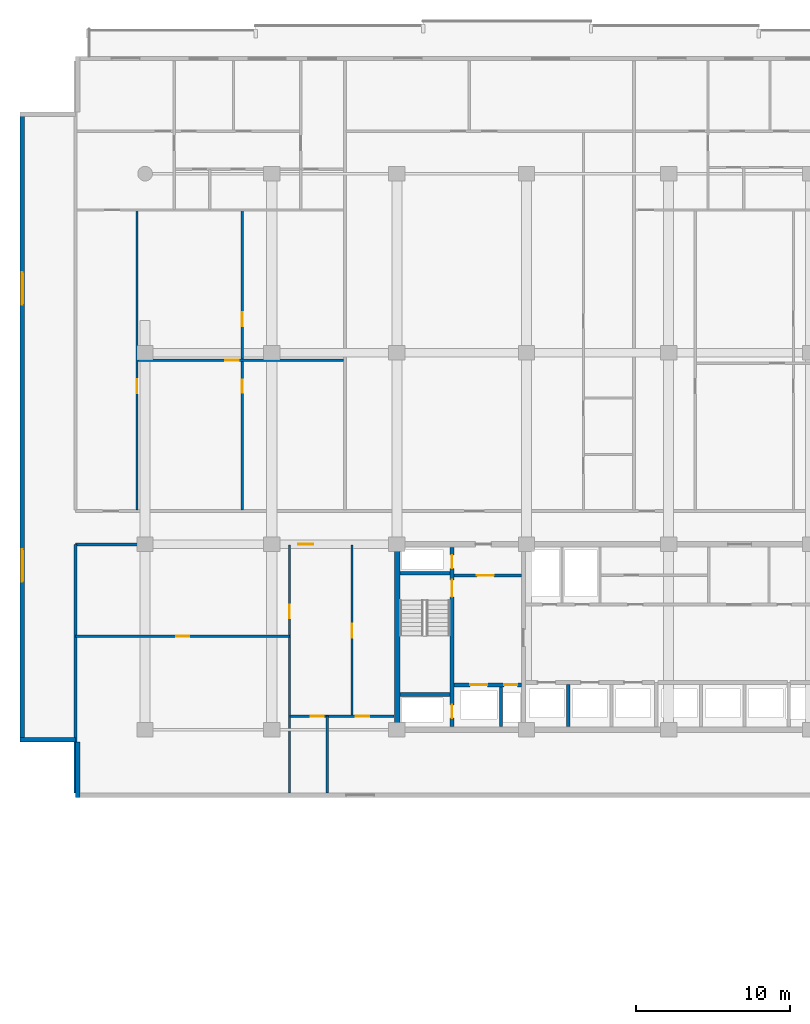
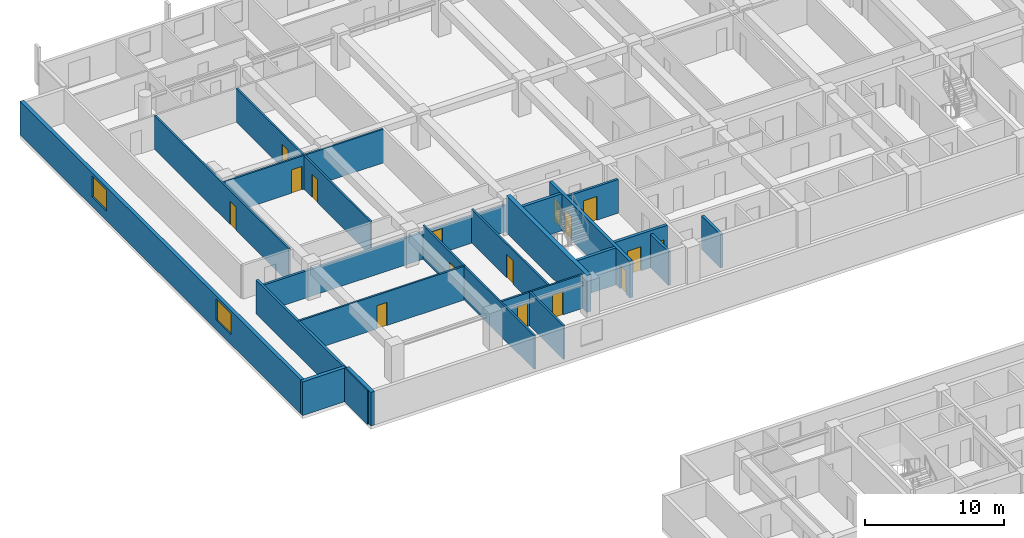
# One storey, part 10 of 23: 21 walls, 16 doors, 2 windows, 18 openings.
"""IFC4 building model written with IfcOpenShell, lengths in metres."""

from ifc_helpers import new_model, si_unit, direction, frame, frame_2d, origin, place, context, subcontext, project, spatial, rectangle, extrude, material, layer, layer_set, type_object, element, fill, save


model = new_model("IFC4")

# Units and contexts
model_context = context("Model", 3, precision=1e-05, world=origin(), true_north=direction((0.0, 1.0)))
body_context = subcontext(model_context, "Body", "Model", "MODEL_VIEW")
ifc_project = project(units=[si_unit("LENGTHUNIT", "METRE"), si_unit("AREAUNIT", "SQUARE_METRE"), si_unit("VOLUMEUNIT", "CUBIC_METRE"), si_unit("PLANEANGLEUNIT", "RADIAN"), si_unit("MASSUNIT", "GRAM", prefix="KILO")], contexts=[model_context])

# Site, building, storey
site_placement = place(None, origin())
site = spatial("IfcSite", under=ifc_project, at=site_placement, CompositionType="ELEMENT")
building_placement = place(site_placement, origin())
building = spatial("IfcBuilding", under=site, at=building_placement, Name="Korimba Cascade Residences", CompositionType="ELEMENT")
storey_placement = place(building_placement, frame((0.0, 0.0, 72.75)))
storey = spatial("IfcBuildingStorey", under=building, at=storey_placement, Name="L20", CompositionType="ELEMENT", Elevation=72.75)

# Wall, openings, windows
ifc_material_1 = material(Name="Precast concrete C40/50", Category="concrete")
ifc_layer_1 = layer(ifc_material_1, 0.300048828125)
ifc_layer_set_1 = layer_set([ifc_layer_1], Name="Precast concrete C40/50")
wall_type_1 = type_object("IfcWallType", Name="EW-STONE-300", PredefinedType="STANDARD", material=ifc_layer_set_1)
wall_1_placement = place(storey_placement, frame((51.85009765625, 95.199951171875, 0.0), z_axis=(0.0, 0.0, 1.0), x_axis=(0.0, -1.0, 0.0)))
wall_1 = element("IfcWall", 1, at=wall_1_placement, inside=storey, type_object=wall_type_1, Name="L20 T1 Perimeter Stone Wall E09", PredefinedType="STANDARD", context=body_context, shape_type="SweptSolid", body=[
    extrude(rectangle(XDim=40.800048828125, YDim=0.300048828125, at=frame_2d((20.39990234375, 0.0))), origin(), (0.0, 0.0, 1.0), 2.969970703125),
])
opening_1_placement = place(wall_1_placement, frame((10.3740234375, 0.0, 0.85009765625)))
opening_1 = element("IfcOpeningElement", 2, at=opening_1_placement, cuts=wall_1, Name="Opening W-03", PredefinedType="OPENING", context=body_context, shape_type="SweptSolid", body=[
    extrude(rectangle(XDim=2.10009765625, YDim=1.85009765625, at=frame_2d((1.050048828125, 0.925048828125))), frame((0.0, 0.16015625, 0.0), z_axis=(0.0, -1.0, 0.0), x_axis=(1.0, 0.0, 0.0)), (0.0, 0.0, 1.0), 0.320068359375),
])
opening_2_placement = place(wall_1_placement, frame((28.325927734375, 0.0, 0.85009765625)))
opening_2 = element("IfcOpeningElement", 3, at=opening_2_placement, cuts=wall_1, Name="Opening W-03", PredefinedType="OPENING", context=body_context, shape_type="SweptSolid", body=[
    extrude(rectangle(XDim=2.10009765625, YDim=1.85009765625, at=frame_2d((1.050048828125, 0.925048828125))), frame((0.0, 0.16015625, 0.0), z_axis=(0.0, -1.0, 0.0), x_axis=(1.0, 0.0, 0.0)), (0.0, 0.0, 1.0), 0.320068359375),
])
ifc_material_2 = material(Name="Double-Glazed Aluminium Window", Category="aluminium")
window_type = type_object("IfcWindowType", Name="WIN-CRN-2100", PartitioningType="DOUBLE_PANEL_HORIZONTAL", PredefinedType="WINDOW", material=ifc_material_2)
window_1_placement = place(opening_1_placement, origin())
window_1 = element("IfcWindow", 4, at=window_1_placement, inside=storey, type_object=window_type, Name="L20 T1 End View Window 9.1", OverallHeight=1.85009765625, OverallWidth=2.10009765625, PartitioningType="DOUBLE_PANEL_HORIZONTAL", PredefinedType="WINDOW", context=body_context, shape_type="SweptSolid", body=[
    extrude(rectangle(XDim=2.10009765625, YDim=1.85009765625, at=frame_2d((1.050048828125, 0.925048828125))), frame((0.0, 0.030029296875, 0.0), z_axis=(0.0, -1.0, 0.0), x_axis=(1.0, 0.0, 0.0)), (0.0, 0.0, 1.0), 0.06005859375),
])
fill(opening_1, window_1)
window_2_placement = place(opening_2_placement, origin())
window_2 = element("IfcWindow", 5, at=window_2_placement, inside=storey, type_object=window_type, Name="L20 T1 End View Window 9.2", OverallHeight=1.85009765625, OverallWidth=2.10009765625, PartitioningType="DOUBLE_PANEL_HORIZONTAL", PredefinedType="WINDOW", context=body_context, shape_type="SweptSolid", body=[
    extrude(rectangle(XDim=2.10009765625, YDim=1.85009765625, at=frame_2d((1.050048828125, 0.925048828125))), frame((0.0, 0.030029296875, 0.0), z_axis=(0.0, -1.0, 0.0), x_axis=(1.0, 0.0, 0.0)), (0.0, 0.0, 1.0), 0.06005859375),
])
fill(opening_2, window_2)

# Walls
wall_2_placement = place(storey_placement, frame((51.699951171875, 54.550048828125, 0.0), z_axis=(0.0, 0.0, 1.0), x_axis=(1.0, 0.0, 0.0)))
element("IfcWall", 6, at=wall_2_placement, inside=storey, type_object=wall_type_1, Name="L20 T1 Perimeter Stone Wall E10", PredefinedType="STANDARD", context=body_context, shape_type="SweptSolid", body=[
    extrude(rectangle(XDim=3.60009765625, YDim=0.300048828125, at=frame_2d((1.800048828125, 0.0))), origin(), (0.0, 0.0, 1.0), 2.969970703125),
])
wall_3_placement = place(storey_placement, frame((55.449951171875, 54.39990234375, 0.0), z_axis=(0.0, 0.0, 1.0), x_axis=(0.0, -1.0, 0.0)))
element("IfcWall", 7, at=wall_3_placement, inside=storey, type_object=wall_type_1, Name="L20 T1 Perimeter Stone Wall E11", PredefinedType="STANDARD", context=body_context, shape_type="SweptSolid", body=[
    extrude(rectangle(XDim=3.599853515625, YDim=0.300048828125, at=frame_2d((1.7998046875, 0.0))), origin(), (0.0, 0.0, 1.0), 2.969970703125),
])
ifc_material_3 = material(Name="Concrete C65/80", Category="concrete")
ifc_layer_2 = layer(ifc_material_3, 0.35009765625)
ifc_layer_set_2 = layer_set([ifc_layer_2], Name="Concrete C65/80")
wall_type_2 = type_object("IfcWallType", Name="WAL-CORE-350", PredefinedType="SHEAR", material=ifc_layer_set_2)
wall_4_placement = place(storey_placement, frame((76.125, 55.375, 0.0), z_axis=(0.0, 0.0, 1.0), x_axis=(0.0, 1.0, 0.0)))
element("IfcWall", 8, at=wall_4_placement, inside=storey, type_object=wall_type_2, Name="L20 Core Shear Wall CW-L20-T1-W", PredefinedType="SHEAR", context=body_context, shape_type="SweptSolid", body=[
    extrude(rectangle(XDim=11.64990234375, YDim=0.35009765625, at=frame_2d((5.824951171875, 0.0))), origin(), (0.0, 0.0, 1.0), 3.25),
])
ifc_layer_3 = layer(ifc_material_1, 0.199951171875)
ifc_layer_set_3 = layer_set([ifc_layer_3], Name="Precast concrete C40/50")
wall_type_3 = type_object("IfcWallType", Name="WAL-IT-200", PredefinedType="PARTITIONING", material=ifc_layer_set_3)
wall_5_placement = place(storey_placement, frame((55.300048828125, 51.10009765625, 0.0), z_axis=(0.0, 0.0, 1.0), x_axis=(0.0, 1.0, 0.0)))
element("IfcWall", 9, at=wall_5_placement, inside=storey, type_object=wall_type_3, Name="L20 Partition Wall WAL-L20-T1-FW-WL", PredefinedType="PARTITIONING", context=body_context, shape_type="SweptSolid", body=[
    extrude(rectangle(XDim=16.099853515625, YDim=0.199951171875, at=frame_2d((8.0498046875, 0.0))), origin(), (0.0, 0.0, 1.0), 2.969970703125),
])

# Wall, opening, door
wall_6_placement = place(storey_placement, frame((55.300048828125, 67.199951171875, 0.0), z_axis=(0.0, 0.0, 1.0), x_axis=(1.0, 0.0, 0.0)))
wall_6 = element("IfcWall", 10, at=wall_6_placement, inside=storey, type_object=wall_type_3, Name="L20 Partition Wall WAL-L20-T1-FW-N", PredefinedType="PARTITIONING", context=body_context, shape_type="SweptSolid", body=[
    extrude(rectangle(XDim=20.64990234375, YDim=0.199951171875, at=frame_2d((10.324951171875, 0.0))), origin(), (0.0, 0.0, 1.0), 2.3701171875),
])
opening_3_placement = place(wall_6_placement, frame((14.426025390625, 0.0, 0.0)))
opening_3 = element("IfcOpeningElement", 11, at=opening_3_placement, cuts=wall_6, Name="Opening D-UN1", PredefinedType="OPENING", context=body_context, shape_type="SweptSolid", body=[
    extrude(rectangle(XDim=0.949951171875, YDim=2.14990234375, at=frame_2d((0.47509765625, 1.074951171875))), frame((0.0, 0.10986328125, 0.0), z_axis=(0.0, -1.0, 0.0), x_axis=(1.0, 0.0, 0.0)), (0.0, 0.0, 1.0), 0.219970703125),
])
ifc_material_4 = material(Name="Fire-Rated Hardwood Apartment Entrance Door", Category="wood")
door_type_1 = type_object("IfcDoorType", Name="DR-FD60-950", OperationType="NOTDEFINED", PredefinedType="DOOR", material=ifc_material_4)
door_1_placement = place(opening_3_placement, origin())
door_1 = element("IfcDoor", 12, at=door_1_placement, inside=storey, type_object=door_type_1, Name="L20-T1-FW Entrance Door", OperationType="SINGLE_SWING_RIGHT", OverallHeight=2.14990234375, OverallWidth=0.949951171875, PredefinedType="DOOR", context=body_context, shape_type="SweptSolid", body=[
    extrude(rectangle(XDim=0.949951171875, YDim=2.14990234375, at=frame_2d((0.47509765625, 1.074951171875))), frame((0.0, 0.02490234375, 0.0), z_axis=(0.0, -1.0, 0.0), x_axis=(1.0, 0.0, 0.0)), (0.0, 0.0, 1.0), 0.050048828125),
])
fill(opening_3, door_1)

ifc_material_5 = material(Name="Insulated Acoustic Stud Partition", Category="gypsum")
ifc_layer_4 = layer(ifc_material_5, 0.14990234375)
ifc_layer_set_4 = layer_set([ifc_layer_4], Name="Insulated Acoustic Stud Partition")
wall_type_4 = type_object("IfcWallType", Name="WAL-PART-150", PredefinedType="PARTITIONING", material=ifc_layer_set_4)
wall_7_placement = place(storey_placement, frame((55.300048828125, 61.25, 0.0), z_axis=(0.0, 0.0, 1.0), x_axis=(1.0, 0.0, 0.0)))
wall_7 = element("IfcWall", 13, at=wall_7_placement, inside=storey, type_object=wall_type_4, Name="L20 Partition Wall WAL-L20-T1-FW-STH", PredefinedType="PARTITIONING", context=body_context, shape_type="SweptSolid", body=[
    extrude(rectangle(XDim=13.849853515625, YDim=0.14990234375, at=frame_2d((6.9248046875, 0.0))), origin(), (0.0, 0.0, 1.0), 2.969970703125),
])
opening_4_placement = place(wall_7_placement, frame((6.5048828125, 0.0, 0.0)))
opening_4 = element("IfcOpeningElement", 14, at=opening_4_placement, cuts=wall_7, Name="Opening D-BT1", PredefinedType="OPENING", context=body_context, shape_type="SweptSolid", body=[
    extrude(rectangle(XDim=0.840087890625, YDim=2.0400390625, at=frame_2d((0.419921875, 1.02001953125))), frame((0.0, 0.0849609375, 0.0), z_axis=(0.0, -1.0, 0.0), x_axis=(1.0, 0.0, 0.0)), (0.0, 0.0, 1.0), 0.169921875),
])
ifc_material_6 = material(Name="Moisture-Resistant Bathroom Timber Door", Category="wood")
door_type_2 = type_object("IfcDoorType", Name="DR-INT-850", OperationType="NOTDEFINED", PredefinedType="DOOR", material=ifc_material_6)
door_2_placement = place(opening_4_placement, origin())
door_2 = element("IfcDoor", 15, at=door_2_placement, inside=storey, type_object=door_type_2, Name="L20-T1-FW Dressing Store Door", OperationType="SINGLE_SWING_LEFT", OverallHeight=2.0400390625, OverallWidth=0.840087890625, PredefinedType="DOOR", context=body_context, shape_type="SweptSolid", body=[
    extrude(rectangle(XDim=0.840087890625, YDim=2.0400390625, at=frame_2d((0.419921875, 1.02001953125))), frame((0.0, 0.02490234375, 0.0), z_axis=(0.0, -1.0, 0.0), x_axis=(1.0, 0.0, 0.0)), (0.0, 0.0, 1.0), 0.050048828125),
])
fill(opening_4, door_2)

wall_8_placement = place(storey_placement, frame((69.14990234375, 51.10009765625, 0.0), z_axis=(0.0, 0.0, 1.0), x_axis=(0.0, 1.0, 0.0)))
wall_8 = element("IfcWall", 16, at=wall_8_placement, inside=storey, type_object=wall_type_4, Name="L20 Partition Wall WAL-L20-T1-FW-STV", PredefinedType="PARTITIONING", context=body_context, shape_type="SweptSolid", body=[
    extrude(rectangle(XDim=16.0498046875, YDim=0.14990234375, at=frame_2d((8.02490234375, 0.0))), origin(), (0.0, 0.0, 1.0), 2.969970703125),
])
opening_5_placement = place(wall_8_placement, frame((11.300048828125, 0.0, 0.0)))
opening_5 = element("IfcOpeningElement", 17, at=opening_5_placement, cuts=wall_8, Name="Opening D-IN2", PredefinedType="OPENING", context=body_context, shape_type="SweptSolid", body=[
    extrude(rectangle(XDim=0.8798828125, YDim=2.06005859375, at=frame_2d((0.43994140625, 1.030029296875))), frame((0.0, 0.0849609375, 0.0), z_axis=(0.0, -1.0, 0.0), x_axis=(1.0, 0.0, 0.0)), (0.0, 0.0, 1.0), 0.169921875),
])
ifc_material_7 = material(Name="Acoustic Timber Bedroom Door", Category="wood")
door_type_3 = type_object("IfcDoorType", Name="DR-INT-880", OperationType="NOTDEFINED", PredefinedType="DOOR", material=ifc_material_7)
door_3_placement = place(opening_5_placement, origin())
door_3 = element("IfcDoor", 18, at=door_3_placement, inside=storey, type_object=door_type_3, Name="L20-T1-FW Study Door", OperationType="SINGLE_SWING_RIGHT", OverallHeight=2.06005859375, OverallWidth=0.8798828125, PredefinedType="DOOR", context=body_context, shape_type="SweptSolid", body=[
    extrude(rectangle(XDim=0.8798828125, YDim=2.06005859375, at=frame_2d((0.43994140625, 1.030029296875))), frame((0.0, 0.02490234375, 0.0), z_axis=(0.0, -1.0, 0.0), x_axis=(1.0, 0.0, 0.0)), (0.0, 0.0, 1.0), 0.050048828125),
])
fill(opening_5, door_3)

wall_9_placement = place(storey_placement, frame((73.199951171875, 56.070068359375, 0.0), z_axis=(0.0, 0.0, 1.0), x_axis=(0.0, 1.0, 0.0)))
wall_9 = element("IfcWall", 19, at=wall_9_placement, inside=storey, type_object=wall_type_4, Name="L20 Partition Wall WAL-L20-T1-FW-VN", PredefinedType="PARTITIONING", context=body_context, shape_type="SweptSolid", body=[
    extrude(rectangle(XDim=11.079833984375, YDim=0.14990234375, at=frame_2d((5.5400390625, 0.0))), origin(), (0.0, 0.0, 1.0), 2.969970703125),
])
opening_6_placement = place(wall_9_placement, frame((5.080078125, 0.0, 0.0)))
opening_6 = element("IfcOpeningElement", 20, at=opening_6_placement, cuts=wall_9, Name="Opening D-IN1", PredefinedType="OPENING", context=body_context, shape_type="SweptSolid", body=[
    extrude(rectangle(XDim=0.919921875, YDim=2.080078125, at=frame_2d((0.4599609375, 1.0400390625))), frame((0.0, 0.0849609375, 0.0), z_axis=(0.0, -1.0, 0.0), x_axis=(1.0, 0.0, 0.0)), (0.0, 0.0, 1.0), 0.169921875),
])
ifc_material_8 = material(Name="Acoustic Timber Living Door", Category="wood")
door_type_4 = type_object("IfcDoorType", Name="DR-INT-920", OperationType="NOTDEFINED", PredefinedType="DOOR", material=ifc_material_8)
door_4_placement = place(opening_6_placement, origin())
door_4 = element("IfcDoor", 21, at=door_4_placement, inside=storey, type_object=door_type_4, Name="L20-T1-FW Living Door", OperationType="SINGLE_SWING_LEFT", OverallHeight=2.080078125, OverallWidth=0.919921875, PredefinedType="DOOR", context=body_context, shape_type="SweptSolid", body=[
    extrude(rectangle(XDim=0.919921875, YDim=2.080078125, at=frame_2d((0.4599609375, 1.0400390625))), frame((0.0, 0.02490234375, 0.0), z_axis=(0.0, -1.0, 0.0), x_axis=(1.0, 0.0, 0.0)), (0.0, 0.0, 1.0), 0.050048828125),
])
fill(opening_6, door_4)

# Wall
wall_10_placement = place(storey_placement, frame((71.60009765625, 51.10009765625, 0.0), z_axis=(0.0, 0.0, 1.0), x_axis=(0.0, 1.0, 0.0)))
element("IfcWall", 22, at=wall_10_placement, inside=storey, type_object=wall_type_4, Name="L20 Partition Wall WAL-L20-T1-FW-VS", PredefinedType="PARTITIONING", context=body_context, shape_type="SweptSolid", body=[
    extrude(rectangle(XDim=4.969970703125, YDim=0.14990234375, at=frame_2d((2.48486328125, 0.0))), origin(), (0.0, 0.0, 1.0), 2.969970703125),
])

# Wall, openings, doors
wall_11_placement = place(storey_placement, frame((69.169921875, 56.070068359375, 0.0), z_axis=(0.0, 0.0, 1.0), x_axis=(1.0, 0.0, 0.0)))
wall_11 = element("IfcWall", 23, at=wall_11_placement, inside=storey, type_object=wall_type_4, Name="L20 Partition Wall WAL-L20-T1-FW-H", PredefinedType="PARTITIONING", context=body_context, shape_type="SweptSolid", body=[
    extrude(rectangle(XDim=6.760009765625, YDim=0.14990234375, at=frame_2d((3.3798828125, 0.0))), origin(), (0.0, 0.0, 1.0), 2.969970703125),
])
opening_7_placement = place(wall_11_placement, frame((1.3623046875, 0.0, 0.0)))
opening_7 = element("IfcOpeningElement", 24, at=opening_7_placement, cuts=wall_11, Name="Opening D-BT1", PredefinedType="OPENING", context=body_context, shape_type="SweptSolid", body=[
    extrude(rectangle(XDim=0.840087890625, YDim=2.0400390625, at=frame_2d((0.419921875, 1.02001953125))), frame((0.0, 0.0849609375, 0.0), z_axis=(0.0, -1.0, 0.0), x_axis=(1.0, 0.0, 0.0)), (0.0, 0.0, 1.0), 0.169921875),
])
opening_8_placement = place(wall_11_placement, frame((4.276611328125, 0.0, 0.0)))
opening_8 = element("IfcOpeningElement", 25, at=opening_8_placement, cuts=wall_11, Name="Opening D-IN2", PredefinedType="OPENING", context=body_context, shape_type="SweptSolid", body=[
    extrude(rectangle(XDim=0.8798828125, YDim=2.06005859375, at=frame_2d((0.43994140625, 1.030029296875))), frame((0.0, 0.0849609375, 0.0), z_axis=(0.0, -1.0, 0.0), x_axis=(1.0, 0.0, 0.0)), (0.0, 0.0, 1.0), 0.169921875),
])
door_5_placement = place(opening_7_placement, origin())
door_5 = element("IfcDoor", 26, at=door_5_placement, inside=storey, type_object=door_type_2, Name="L20-T1-FW Bathroom Door", OperationType="SINGLE_SWING_RIGHT", OverallHeight=2.0400390625, OverallWidth=0.840087890625, PredefinedType="DOOR", context=body_context, shape_type="SweptSolid", body=[
    extrude(rectangle(XDim=0.840087890625, YDim=2.0400390625, at=frame_2d((0.419921875, 1.02001953125))), frame((0.0, 0.02490234375, 0.0), z_axis=(0.0, -1.0, 0.0), x_axis=(1.0, 0.0, 0.0)), (0.0, 0.0, 1.0), 0.050048828125),
])
fill(opening_7, door_5)
door_6_placement = place(opening_8_placement, origin())
door_6 = element("IfcDoor", 27, at=door_6_placement, inside=storey, type_object=door_type_3, Name="L20-T1-FW Bedroom Door", OperationType="SINGLE_SWING_LEFT", OverallHeight=2.06005859375, OverallWidth=0.8798828125, PredefinedType="DOOR", context=body_context, shape_type="SweptSolid", body=[
    extrude(rectangle(XDim=0.8798828125, YDim=2.06005859375, at=frame_2d((0.43994140625, 1.030029296875))), frame((0.0, 0.02490234375, 0.0), z_axis=(0.0, -1.0, 0.0), x_axis=(1.0, 0.0, 0.0)), (0.0, 0.0, 1.0), 0.050048828125),
])
fill(opening_8, door_6)

wall_12_placement = place(storey_placement, frame((66.092041015625, 69.409912109375, 0.0), z_axis=(0.0, 0.0, 1.0), x_axis=(0.0, 1.0, 0.0)))
wall_12 = element("IfcWall", 28, at=wall_12_placement, inside=storey, type_object=wall_type_4, Name="L20 Partition Wall WAL-L20-T1-U01-FMV", PredefinedType="PARTITIONING", context=body_context, shape_type="SweptSolid", body=[
    extrude(rectangle(XDim=19.400146484375, YDim=0.14990234375, at=frame_2d((9.7001953125, 0.0))), origin(), (0.0, 0.0, 1.0), 2.969970703125),
])
opening_9_placement = place(wall_12_placement, frame((7.618896484375, 0.0, 0.0)))
opening_9 = element("IfcOpeningElement", 29, at=opening_9_placement, cuts=wall_12, Name="Opening D-BT1", PredefinedType="OPENING", context=body_context, shape_type="SweptSolid", body=[
    extrude(rectangle(XDim=0.840087890625, YDim=2.0400390625, at=frame_2d((0.419921875, 1.02001953125))), frame((0.0, 0.0849609375, 0.0), z_axis=(0.0, -1.0, 0.0), x_axis=(1.0, 0.0, 0.0)), (0.0, 0.0, 1.0), 0.169921875),
])
opening_10_placement = place(wall_12_placement, frame((11.9228515625, 0.0, 0.0)))
opening_10 = element("IfcOpeningElement", 30, at=opening_10_placement, cuts=wall_12, Name="Opening D-IN2", PredefinedType="OPENING", context=body_context, shape_type="SweptSolid", body=[
    extrude(rectangle(XDim=0.8798828125, YDim=2.06005859375, at=frame_2d((0.43994140625, 1.030029296875))), frame((0.0, 0.0849609375, 0.0), z_axis=(0.0, -1.0, 0.0), x_axis=(1.0, 0.0, 0.0)), (0.0, 0.0, 1.0), 0.169921875),
])
door_7_placement = place(opening_9_placement, origin())
door_7 = element("IfcDoor", 31, at=door_7_placement, inside=storey, type_object=door_type_2, Name="L20-T1-U01 Wardrobe Door", OperationType="SINGLE_SWING_LEFT", OverallHeight=2.0400390625, OverallWidth=0.840087890625, PredefinedType="DOOR", context=body_context, shape_type="SweptSolid", body=[
    extrude(rectangle(XDim=0.840087890625, YDim=2.0400390625, at=frame_2d((0.419921875, 1.02001953125))), frame((0.0, 0.02490234375, 0.0), z_axis=(0.0, -1.0, 0.0), x_axis=(1.0, 0.0, 0.0)), (0.0, 0.0, 1.0), 0.050048828125),
])
fill(opening_9, door_7)
door_8_placement = place(opening_10_placement, origin())
door_8 = element("IfcDoor", 32, at=door_8_placement, inside=storey, type_object=door_type_3, Name="L20-T1-U01 Music Lounge Door", OperationType="SINGLE_SWING_RIGHT", OverallHeight=2.06005859375, OverallWidth=0.8798828125, PredefinedType="DOOR", context=body_context, shape_type="SweptSolid", body=[
    extrude(rectangle(XDim=0.8798828125, YDim=2.06005859375, at=frame_2d((0.43994140625, 1.030029296875))), frame((0.0, 0.02490234375, 0.0), z_axis=(0.0, -1.0, 0.0), x_axis=(1.0, 0.0, 0.0)), (0.0, 0.0, 1.0), 0.050048828125),
])
fill(opening_10, door_8)

# Wall, opening, door
wall_13_placement = place(storey_placement, frame((59.330078125, 79.110107421875, 0.0), z_axis=(0.0, 0.0, 1.0), x_axis=(1.0, 0.0, 0.0)))
wall_13 = element("IfcWall", 33, at=wall_13_placement, inside=storey, type_object=wall_type_4, Name="L20 Partition Wall WAL-L20-T1-U01-FMH", PredefinedType="PARTITIONING", context=body_context, shape_type="SweptSolid", body=[
    extrude(rectangle(XDim=13.323974609375, YDim=0.14990234375, at=frame_2d((6.662109375, 0.0))), origin(), (0.0, 0.0, 1.0), 2.969970703125),
])
opening_11_placement = place(wall_13_placement, frame((5.662109375, 0.0, 0.0)))
opening_11 = element("IfcOpeningElement", 34, at=opening_11_placement, cuts=wall_13, Name="Opening D-IN2", PredefinedType="OPENING", context=body_context, shape_type="SweptSolid", body=[
    extrude(rectangle(XDim=0.8798828125, YDim=2.06005859375, at=frame_2d((0.43994140625, 1.030029296875))), frame((0.0, 0.0849609375, 0.0), z_axis=(0.0, -1.0, 0.0), x_axis=(1.0, 0.0, 0.0)), (0.0, 0.0, 1.0), 0.169921875),
])
door_9_placement = place(opening_11_placement, origin())
door_9 = element("IfcDoor", 35, at=door_9_placement, inside=storey, type_object=door_type_3, Name="L20-T1-U01 Library Salon Door", OperationType="SINGLE_SWING_LEFT", OverallHeight=2.06005859375, OverallWidth=0.8798828125, PredefinedType="DOOR", context=body_context, shape_type="SweptSolid", body=[
    extrude(rectangle(XDim=0.8798828125, YDim=2.06005859375, at=frame_2d((0.43994140625, 1.030029296875))), frame((0.0, 0.02490234375, 0.0), z_axis=(0.0, -1.0, 0.0), x_axis=(1.0, 0.0, 0.0)), (0.0, 0.0, 1.0), 0.050048828125),
])
fill(opening_11, door_9)

wall_14_placement = place(storey_placement, frame((59.27001953125, 69.409912109375, 0.0), z_axis=(0.0, 0.0, 1.0), x_axis=(0.0, 1.0, 0.0)))
wall_14 = element("IfcWall", 36, at=wall_14_placement, inside=storey, type_object=wall_type_4, Name="L20 Partition Wall WAL-L20-T1-U01-FV", PredefinedType="PARTITIONING", context=body_context, shape_type="SweptSolid", body=[
    extrude(rectangle(XDim=19.400146484375, YDim=0.14990234375, at=frame_2d((9.7001953125, 0.0))), origin(), (0.0, 0.0, 1.0), 2.969970703125),
])
opening_12_placement = place(wall_14_placement, frame((7.58349609375, 0.0, 0.0)))
opening_12 = element("IfcOpeningElement", 37, at=opening_12_placement, cuts=wall_14, Name="Opening D-IN2", PredefinedType="OPENING", context=body_context, shape_type="SweptSolid", body=[
    extrude(rectangle(XDim=0.8798828125, YDim=2.06005859375, at=frame_2d((0.43994140625, 1.030029296875))), frame((0.0, 0.0849609375, 0.0), z_axis=(0.0, -1.0, 0.0), x_axis=(1.0, 0.0, 0.0)), (0.0, 0.0, 1.0), 0.169921875),
])
door_10_placement = place(opening_12_placement, origin())
door_10 = element("IfcDoor", 38, at=door_10_placement, inside=storey, type_object=door_type_3, Name="L20-T1-U01 Media Lounge Door", OperationType="SINGLE_SWING_RIGHT", OverallHeight=2.06005859375, OverallWidth=0.8798828125, PredefinedType="DOOR", context=body_context, shape_type="SweptSolid", body=[
    extrude(rectangle(XDim=0.8798828125, YDim=2.06005859375, at=frame_2d((0.43994140625, 1.030029296875))), frame((0.0, 0.02490234375, 0.0), z_axis=(0.0, -1.0, 0.0), x_axis=(1.0, 0.0, 0.0)), (0.0, 0.0, 1.0), 0.050048828125),
])
fill(opening_12, door_10)

# Wall
ifc_material_9 = material(Name="Concrete C40/50", Category="concrete")
ifc_layer_5 = layer(ifc_material_9, 0.199951171875)
ifc_layer_set_5 = layer_set([ifc_layer_5], Name="Concrete C40/50")
wall_type_5 = type_object("IfcWallType", Name="WAL-PART-200", PredefinedType="PARTITIONING", material=ifc_layer_set_5)
wall_15_placement = place(storey_placement, frame((82.85009765625, 55.39990234375, 0.0), z_axis=(0.0, 0.0, 1.0), x_axis=(0.0, 1.0, 0.0)))
element("IfcWall", 39, at=wall_15_placement, inside=storey, type_object=wall_type_5, Name="L20 Partition Wall CW-L20-T1-FFLDIV", PredefinedType="PARTITIONING", context=body_context, shape_type="SweptSolid", body=[
    extrude(rectangle(XDim=2.56005859375, YDim=0.199951171875, at=frame_2d((1.280029296875, 0.0))), origin(), (0.0, 0.0, 1.0), 2.969970703125),
])

# Wall, opening, door
wall_16_placement = place(storey_placement, frame((79.7900390625, 65.179931640625, 0.0), z_axis=(0.0, 0.0, 1.0), x_axis=(1.0, 0.0, 0.0)))
wall_16 = element("IfcWall", 40, at=wall_16_placement, inside=storey, type_object=wall_type_5, Name="L20 Partition Wall CW-L20-T1-FFLN", PredefinedType="PARTITIONING", context=body_context, shape_type="SweptSolid", body=[
    extrude(rectangle(XDim=4.389892578125, YDim=0.199951171875, at=frame_2d((2.19482421875, 0.0))), origin(), (0.0, 0.0, 1.0), 2.969970703125),
])
opening_13_placement = place(wall_16_placement, frame((1.5, 0.0, 0.0)))
opening_13 = element("IfcOpeningElement", 41, at=opening_13_placement, cuts=wall_16, Name="Opening D-FD1", PredefinedType="OPENING", context=body_context, shape_type="SweptSolid", body=[
    extrude(rectangle(XDim=1.10009765625, YDim=2.10009765625, at=frame_2d((0.550048828125, 1.050048828125))), frame((0.0, 0.10986328125, 0.0), z_axis=(0.0, -1.0, 0.0), x_axis=(1.0, 0.0, 0.0)), (0.0, 0.0, 1.0), 0.219970703125),
])
ifc_material_10 = material(Name="Fire-Rated Steel Core Door", Category="steel")
door_type_5 = type_object("IfcDoorType", Name="DR-FD120-1100", OperationType="NOTDEFINED", PredefinedType="DOOR", material=ifc_material_10)
door_11_placement = place(opening_13_placement, origin())
door_11 = element("IfcDoor", 42, at=door_11_placement, inside=storey, type_object=door_type_5, Name="L20 West Firefighting Lobby Door", OperationType="SINGLE_SWING_RIGHT", OverallHeight=2.10009765625, OverallWidth=1.10009765625, PredefinedType="DOOR", context=body_context, shape_type="SweptSolid", body=[
    extrude(rectangle(XDim=1.10009765625, YDim=2.10009765625, at=frame_2d((0.550048828125, 1.050048828125))), frame((0.0, 0.02490234375, 0.0), z_axis=(0.0, -1.0, 0.0), x_axis=(1.0, 0.0, 0.0)), (0.0, 0.0, 1.0), 0.050048828125),
])
fill(opening_13, door_11)

# Wall
wall_17_placement = place(storey_placement, frame((87.199951171875, 55.39990234375, 0.0), z_axis=(0.0, 0.0, 1.0), x_axis=(0.0, 1.0, 0.0)))
element("IfcWall", 43, at=wall_17_placement, inside=storey, type_object=wall_type_5, Name="L20 Partition Wall CW-L20-T1-B1D1", PredefinedType="PARTITIONING", context=body_context, shape_type="SweptSolid", body=[
    extrude(rectangle(XDim=2.72021484375, YDim=0.199951171875, at=frame_2d((1.360107421875, 0.0))), origin(), (0.0, 0.0, 1.0), 2.969970703125),
])

# Wall, openings, doors
ifc_material_11 = material(Name="Concrete C50/60", Category="concrete")
ifc_layer_6 = layer(ifc_material_11, 0.25)
ifc_layer_set_6 = layer_set([ifc_layer_6], Name="Concrete C50/60")
wall_type_6 = type_object("IfcWallType", Name="WAL-SHAFT-250", PredefinedType="SHEAR", material=ifc_layer_set_6)
wall_18_placement = place(storey_placement, frame((79.6650390625, 55.39990234375, 0.0), z_axis=(0.0, 0.0, 1.0), x_axis=(0.0, 1.0, 0.0)))
wall_18 = element("IfcWall", 44, at=wall_18_placement, inside=storey, type_object=wall_type_6, Name="L20 Core Shear Wall CW-L20-T1-STW1E", PredefinedType="SHEAR", context=body_context, shape_type="SweptSolid", body=[
    extrude(rectangle(XDim=11.60009765625, YDim=0.25, at=frame_2d((5.800048828125, 0.0))), origin(), (0.0, 0.0, 1.0), 3.25),
])
opening_14_placement = place(wall_18_placement, frame((0.550048828125, 0.0, 0.0)))
opening_14 = element("IfcOpeningElement", 45, at=opening_14_placement, cuts=wall_18, Name="Opening D-RS1", PredefinedType="OPENING", context=body_context, shape_type="SweptSolid", body=[
    extrude(rectangle(XDim=0.85009765625, YDim=2.050048828125, at=frame_2d((0.425048828125, 1.02490234375))), frame((0.0, 0.135009765625, 0.0), z_axis=(0.0, -1.0, 0.0), x_axis=(1.0, 0.0, 0.0)), (0.0, 0.0, 1.0), 0.27001953125),
])
opening_15_placement = place(wall_18_placement, frame((8.39990234375, 0.0, 0.0)))
opening_15 = element("IfcOpeningElement", 46, at=opening_15_placement, cuts=wall_18, Name="Opening D-FD1", PredefinedType="OPENING", context=body_context, shape_type="SweptSolid", body=[
    extrude(rectangle(XDim=1.10009765625, YDim=2.10009765625, at=frame_2d((0.550048828125, 1.050048828125))), frame((0.0, 0.135009765625, 0.0), z_axis=(0.0, -1.0, 0.0), x_axis=(1.0, 0.0, 0.0)), (0.0, 0.0, 1.0), 0.27001953125),
])
opening_16_placement = place(wall_18_placement, frame((10.25, 0.0, 0.0)))
opening_16 = element("IfcOpeningElement", 47, at=opening_16_placement, cuts=wall_18, Name="Opening D-RS1", PredefinedType="OPENING", context=body_context, shape_type="SweptSolid", body=[
    extrude(rectangle(XDim=0.85009765625, YDim=2.050048828125, at=frame_2d((0.425048828125, 1.02490234375))), frame((0.0, 0.135009765625, 0.0), z_axis=(0.0, -1.0, 0.0), x_axis=(1.0, 0.0, 0.0)), (0.0, 0.0, 1.0), 0.27001953125),
])
door_12_placement = place(opening_15_placement, origin())
door_12 = element("IfcDoor", 48, at=door_12_placement, inside=storey, type_object=door_type_5, Name="L20 Fire Stair ST-W1 Door", OperationType="SINGLE_SWING_LEFT", OverallHeight=2.10009765625, OverallWidth=1.10009765625, PredefinedType="DOOR", context=body_context, shape_type="SweptSolid", body=[
    extrude(rectangle(XDim=1.10009765625, YDim=2.10009765625, at=frame_2d((0.550048828125, 1.050048828125))), frame((0.0, 0.02490234375, 0.0), z_axis=(0.0, -1.0, 0.0), x_axis=(1.0, 0.0, 0.0)), (0.0, 0.0, 1.0), 0.050048828125),
])
fill(opening_15, door_12)
ifc_material_12 = material(Name="Fire-Rated Steel Riser Access Door", Category="steel")
door_type_6 = type_object("IfcDoorType", Name="DR-FD60-850", OperationType="NOTDEFINED", PredefinedType="DOOR", material=ifc_material_12)
door_13_placement = place(opening_14_placement, origin())
door_13 = element("IfcDoor", 49, at=door_13_placement, inside=storey, type_object=door_type_6, Name="L20 Smoke Riser Access Door", OperationType="SINGLE_SWING_RIGHT", OverallHeight=2.050048828125, OverallWidth=0.85009765625, PredefinedType="DOOR", context=body_context, shape_type="SweptSolid", body=[
    extrude(rectangle(XDim=0.85009765625, YDim=2.050048828125, at=frame_2d((0.425048828125, 1.02490234375))), frame((0.0, 0.02490234375, 0.0), z_axis=(0.0, -1.0, 0.0), x_axis=(1.0, 0.0, 0.0)), (0.0, 0.0, 1.0), 0.050048828125),
])
fill(opening_14, door_13)
door_14_placement = place(opening_16_placement, origin())
door_14 = element("IfcDoor", 50, at=door_14_placement, inside=storey, type_object=door_type_6, Name="L20 Hydrant Riser Access Door", OperationType="SINGLE_SWING_RIGHT", OverallHeight=2.050048828125, OverallWidth=0.85009765625, PredefinedType="DOOR", context=body_context, shape_type="SweptSolid", body=[
    extrude(rectangle(XDim=0.85009765625, YDim=2.050048828125, at=frame_2d((0.425048828125, 1.02490234375))), frame((0.0, 0.02490234375, 0.0), z_axis=(0.0, -1.0, 0.0), x_axis=(1.0, 0.0, 0.0)), (0.0, 0.0, 1.0), 0.050048828125),
])
fill(opening_16, door_14)

# Walls
for number, where, z_axis, x_axis, name in (
    (51, (76.300048828125, 57.47509765625, 0.0), (0.0, 0.0, 1.0), (1.0, 0.0, 0.0), "L20 Core Shear Wall CW-L20-T1-STW1S"),
    (52, (76.300048828125, 65.324951171875, 0.0), (0.0, 0.0, 1.0), (1.0, 0.0, 0.0), "L20 Core Shear Wall CW-L20-T1-STW1N"),
):
    element("IfcWall", number, at=place(storey_placement, frame(where, z_axis=z_axis, x_axis=x_axis)), inside=storey, type_object=wall_type_6, Name=name, PredefinedType="SHEAR", context=body_context, shape_type="SweptSolid", body=[
        extrude(rectangle(XDim=3.239990234375, YDim=0.25, at=frame_2d((1.6201171875, 0.0))), origin(), (0.0, 0.0, 1.0), 3.25),
    ])

# Wall, openings, doors
wall_19_placement = place(storey_placement, frame((79.7900390625, 58.10009765625, 0.0), z_axis=(0.0, 0.0, 1.0), x_axis=(1.0, 0.0, 0.0)))
wall_19 = element("IfcWall", 53, at=wall_19_placement, inside=storey, type_object=wall_type_6, Name="L20 Core Shear Wall CW-L20-T1-FFLS", PredefinedType="SHEAR", context=body_context, shape_type="SweptSolid", body=[
    extrude(rectangle(XDim=4.389892578125, YDim=0.25, at=frame_2d((2.19482421875, 0.0))), origin(), (0.0, 0.0, 1.0), 3.25),
])
opening_17_placement = place(wall_19_placement, frame((1.050048828125, 0.0, 0.0)))
opening_17 = element("IfcOpeningElement", 54, at=opening_17_placement, cuts=wall_19, Name="Opening LD-01", PredefinedType="OPENING", context=body_context, shape_type="SweptSolid", body=[
    extrude(rectangle(XDim=1.1201171875, YDim=2.1201171875, at=frame_2d((0.56005859375, 1.06005859375))), frame((0.0, 0.135009765625, 0.0), z_axis=(0.0, -1.0, 0.0), x_axis=(1.0, 0.0, 0.0)), (0.0, 0.0, 1.0), 0.27001953125),
])
opening_18_placement = place(wall_19_placement, frame((3.260009765625, 0.0, 0.0)))
opening_18 = element("IfcOpeningElement", 55, at=opening_18_placement, cuts=wall_19, Name="Opening D-RS1", PredefinedType="OPENING", context=body_context, shape_type="SweptSolid", body=[
    extrude(rectangle(XDim=0.85009765625, YDim=2.050048828125, at=frame_2d((0.425048828125, 1.02490234375))), frame((0.0, 0.135009765625, 0.0), z_axis=(0.0, -1.0, 0.0), x_axis=(1.0, 0.0, 0.0)), (0.0, 0.0, 1.0), 0.27001953125),
])
door_15_placement = place(opening_18_placement, origin())
door_15 = element("IfcDoor", 56, at=door_15_placement, inside=storey, type_object=door_type_6, Name="L20 Pressurisation Riser Door", OperationType="SINGLE_SWING_LEFT", OverallHeight=2.050048828125, OverallWidth=0.85009765625, PredefinedType="DOOR", context=body_context, shape_type="SweptSolid", body=[
    extrude(rectangle(XDim=0.85009765625, YDim=2.050048828125, at=frame_2d((0.425048828125, 1.02490234375))), frame((0.0, 0.02490234375, 0.0), z_axis=(0.0, -1.0, 0.0), x_axis=(1.0, 0.0, 0.0)), (0.0, 0.0, 1.0), 0.050048828125),
])
fill(opening_18, door_15)
ifc_material_13 = material(Name="Stainless Steel Lift Landing Sliding Door", Category="steel")
door_type_7 = type_object("IfcDoorType", Name="DR-LIFT-1100", OperationType="NOTDEFINED", PredefinedType="DOOR", material=ifc_material_13)
door_16_placement = place(opening_17_placement, origin())
door_16 = element("IfcDoor", 57, at=door_16_placement, inside=storey, type_object=door_type_7, Name="L20 Firefighting Lift Landing Door FFL-W1", OperationType="SLIDING_TO_LEFT", OverallHeight=2.1201171875, OverallWidth=1.1201171875, PredefinedType="DOOR", context=body_context, shape_type="SweptSolid", body=[
    extrude(rectangle(XDim=1.1201171875, YDim=2.1201171875, at=frame_2d((0.56005859375, 1.06005859375))), frame((0.0, 0.02490234375, 0.0), z_axis=(0.0, -1.0, 0.0), x_axis=(1.0, 0.0, 0.0)), (0.0, 0.0, 1.0), 0.050048828125),
])
fill(opening_17, door_16)

save(model, "model.ifc")
